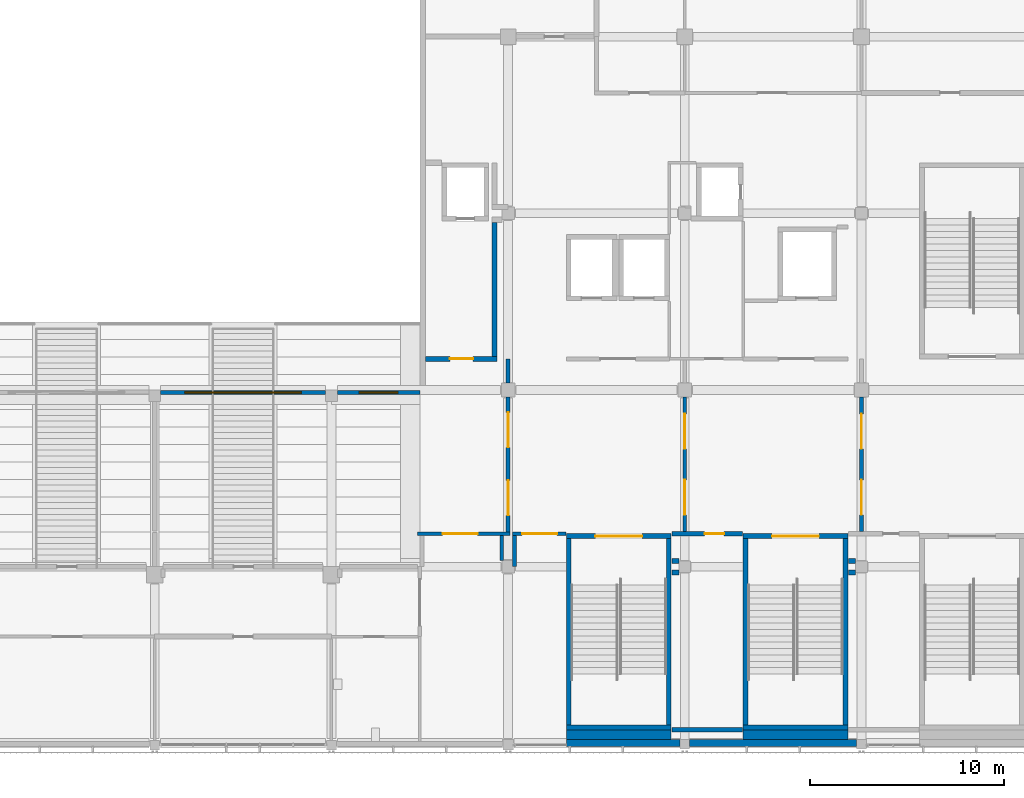
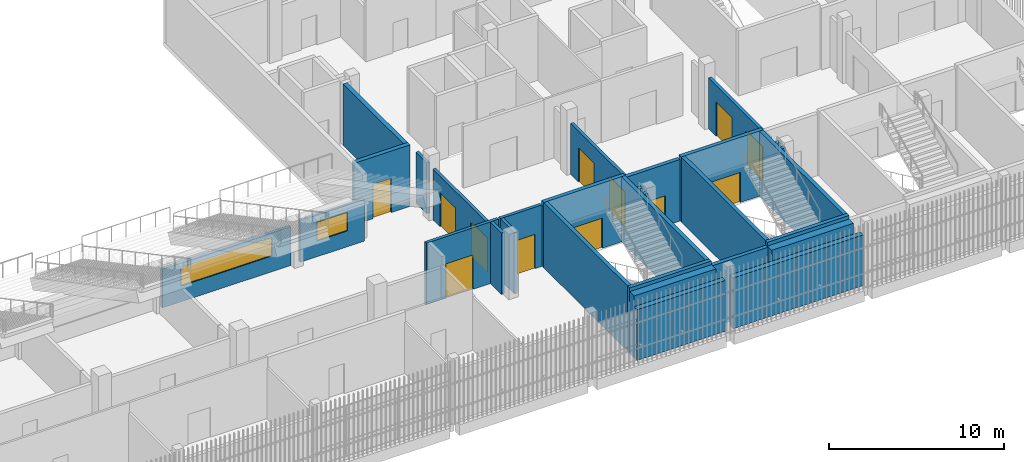
# One storey, part 79 of 139: 30 walls, 12 doors, 2 windows, 14 openings.
"""IFC4 building model written with IfcOpenShell, lengths in metres."""

import ifcopenshell
import ifcopenshell.guid

model = None  # the IFC model being written
_history = None  # IfcOwnerHistory: only IFC2X3 demands one
_inside = {}  # id of a spatial element -> (the spatial element, [elements in it])
_under = {}  # id of a project, library or spatial element -> (it, [spatial elements below it])
_declared = {}  # id of a project -> (the project, [libraries it declares])
_typed = {}  # id of a type object -> (the type object, [elements of that type])
_made_of = {}  # id of a material, layer set ... -> (it, [elements and type objects made of it])


def new_model(schema):
    """Start an empty IFC model of exactly this schema.

    Asked for "IFC4X3", IfcOpenShell would pick the latest addendum, in which some entities
    have other attributes; the version numbers below select the first issue.
    IFC2X3 requires an IfcOwnerHistory on every rooted entity: one is made here for all.
    """
    global model, _history
    if schema == "IFC4X3":
        model = ifcopenshell.file(schema_version=(4, 3, 0, 0))
    else:
        model = ifcopenshell.file(schema=schema)
    _inside.clear()
    _under.clear()
    _declared.clear()
    _typed.clear()
    _made_of.clear()
    _history = None
    if model.schema == "IFC2X3":
        org = make("IfcOrganization", Name="unknown")
        user = make(
            "IfcPersonAndOrganization",
            ThePerson=make("IfcPerson", FamilyName="unknown"),
            TheOrganization=org,
        )
        app = make(
            "IfcApplication",
            ApplicationDeveloper=org,
            Version="unknown",
            ApplicationFullName="unknown",
            ApplicationIdentifier="unknown",
        )
        _history = make(
            "IfcOwnerHistory",
            OwningUser=user,
            OwningApplication=app,
            ChangeAction="ADDED",
            CreationDate=0,
        )
    return model


def make(cls, **values):
    """One entity of the class cls with the attributes given. An attribute that is None is left unset."""
    return model.create_entity(
        cls, **{name: value for name, value in values.items() if value is not None}
    )


def rooted(cls, **values):
    """An entity with a GlobalId (a new one), such as an element, a storey or a relation."""
    return make(cls, GlobalId=ifcopenshell.guid.new(), OwnerHistory=_history, **values)


def si_unit(unit_type, name, prefix=None):
    """IfcSIUnit, for example si_unit("LENGTHUNIT", "METRE", prefix="MILLI")."""
    return make("IfcSIUnit", UnitType=unit_type, Prefix=prefix, Name=name)


def assignment(units):
    """IfcUnitAssignment: the units of a project."""
    return None if units is None else make("IfcUnitAssignment", Units=units)


def point(xyz):
    """IfcCartesianPoint."""
    return None if xyz is None else make("IfcCartesianPoint", Coordinates=xyz)


def direction(xyz):
    """IfcDirection."""
    return None if xyz is None else make("IfcDirection", DirectionRatios=xyz)


def frame(location, z_axis=None, x_axis=None):
    """IfcAxis2Placement3D, a coordinate frame: its origin and axes. An axis left out is left unset."""
    return make(
        "IfcAxis2Placement3D",
        Location=point(location),
        Axis=direction(z_axis),
        RefDirection=direction(x_axis),
    )


def frame_2d(location, x_axis=None):
    """IfcAxis2Placement2D, a coordinate frame in the plane: its origin and x axis."""
    return make(
        "IfcAxis2Placement2D", Location=point(location), RefDirection=direction(x_axis)
    )


def origin():
    """The frame at (0, 0, 0) with its axes left unset."""
    return frame((0.0, 0.0, 0.0))


def place(relative_to, where):
    """IfcLocalPlacement: puts the frame where relative to a parent placement (None: the world)."""
    return make(
        "IfcLocalPlacement", PlacementRelTo=relative_to, RelativePlacement=where
    )


def context(
    kind, dimensions, precision=None, world=None, true_north=None, identifier=None
):
    """IfcGeometricRepresentationContext, for example the 3D "Model" context."""
    return make(
        "IfcGeometricRepresentationContext",
        ContextIdentifier=identifier,
        ContextType=kind,
        CoordinateSpaceDimension=dimensions,
        Precision=precision,
        WorldCoordinateSystem=world,
        TrueNorth=true_north,
    )


def subcontext(parent, identifier, kind, view, scale=None):
    """IfcGeometricRepresentationSubContext, for example "Body" below "Model"."""
    return make(
        "IfcGeometricRepresentationSubContext",
        ContextIdentifier=identifier,
        ContextType=kind,
        ParentContext=parent,
        TargetScale=scale,
        TargetView=view,
    )


def project(units=None, contexts=None):
    """IfcProject with its units and contexts."""
    return rooted(
        "IfcProject",
        Name="project",
        RepresentationContexts=contexts,
        UnitsInContext=assignment(units),
    )


def spatial(cls, under=None, at=None, **own):
    """A site, building, storey or space (cls), placed at a placement, below another one or the project."""
    s = rooted(cls, ObjectPlacement=at, **own)
    if under is not None:
        _under.setdefault(under.id(), (under, []))[1].append(s)
    return s


def profile(cls, at=None, kind="AREA", **sizes):
    """A parametric profile (cls). Its sizes go by their IFC names, for example OverallWidth=200.0."""
    return make(cls, ProfileType=kind, Position=at, **sizes)


def rectangle(**sizes):
    """IfcRectangleProfileDef."""
    return profile("IfcRectangleProfileDef", **sizes)


def extrude(swept, where, along, depth):
    """IfcExtrudedAreaSolid: the profile swept, set in the frame where, extruded along a direction by depth."""
    return make(
        "IfcExtrudedAreaSolid",
        SweptArea=swept,
        Position=where,
        ExtrudedDirection=direction(along),
        Depth=depth,
    )


def shape(context_of_items, identifier, shape_type, items):
    """IfcShapeRepresentation: the items that make up one representation, for example the "Body"."""
    return make(
        "IfcShapeRepresentation",
        ContextOfItems=context_of_items,
        RepresentationIdentifier=identifier,
        RepresentationType=shape_type,
        Items=items,
    )


def material(Name=None, Category=None):
    """IfcMaterial."""
    return make("IfcMaterial", Name=Name, Category=Category)


def layer(
    of_material, thickness, ventilated=None, Name=None, Category=None, Priority=None
):
    """IfcMaterialLayer: one layer of a wall or slab, of a material (None: an air gap)."""
    return make(
        "IfcMaterialLayer",
        Material=of_material,
        LayerThickness=thickness,
        IsVentilated=ventilated,
        Name=Name,
        Category=Category,
        Priority=Priority,
    )


def layer_set(layers, Name=None):
    """IfcMaterialLayerSet."""
    return make("IfcMaterialLayerSet", MaterialLayers=layers, LayerSetName=Name)


def made_of(thing, what):
    """Note that an element or type object is made of a material, layer set ...; save() writes the relation."""
    if what is not None:
        _made_of.setdefault(what.id(), (what, []))[1].append(thing)
    return thing


def type_object(cls, material=None, **own):
    """A type object (cls), such as IfcWallType, which elements share."""
    return made_of(rooted(cls, **own), material)


def element(
    cls,
    number,
    at=None,
    inside=None,
    cuts=None,
    type_object=None,
    material=None,
    context=None,
    identifier="Body",
    shape_type=None,
    held_by="IfcProductDefinitionShape",
    body=None,
    shapes=None,
    **own,
):
    """One element of the class cls, such as IfcWall. Its Tag is "e" and its number.

    at: its placement. inside: the storey or other place that contains it. cuts: it is an
    opening in that element (IfcRelVoidsElement). A single representation is given by context,
    identifier, shape_type and body (its items); several are given by shapes. held_by: the class
    of the entity that holds the representations. save() writes the other relations.
    """
    e = rooted(cls, Tag="e%d" % number, ObjectPlacement=at, **own)
    if body is not None:
        shapes = [shape(context, identifier, shape_type, body)]
    if shapes is not None:
        e.Representation = make(held_by, Representations=shapes)
    if inside is not None:
        _inside.setdefault(inside.id(), (inside, []))[1].append(e)
    if cuts is not None:
        rooted(
            "IfcRelVoidsElement", RelatingBuildingElement=cuts, RelatedOpeningElement=e
        )
    if type_object is not None:
        _typed.setdefault(type_object.id(), (type_object, []))[1].append(e)
    return made_of(e, material)


def fill(opening, filler):
    """IfcRelFillsElement: the door or window that sits in an opening."""
    return rooted(
        "IfcRelFillsElement",
        RelatingOpeningElement=opening,
        RelatedBuildingElement=filler,
    )


def aggregate(whole, parts):
    """IfcRelAggregates: a whole, such as a stair, and the parts it consists of."""
    return rooted("IfcRelAggregates", RelatingObject=whole, RelatedObjects=parts)


def save(model, path):
    """Write the relations noted so far, then the file.

    IfcRelAggregates (storeys below a building ...), IfcRelContainedInSpatialStructure (elements
    in a storey), IfcRelDefinesByType, IfcRelAssociatesMaterial and IfcRelDeclares: one each for
    every whole, place, type object, material and project.
    """
    for whole, parts in _under.values():
        aggregate(whole, parts)
    for where, things in _inside.values():
        rooted(
            "IfcRelContainedInSpatialStructure",
            RelatedElements=things,
            RelatingStructure=where,
        )
    for kind, things in _typed.values():
        rooted("IfcRelDefinesByType", RelatedObjects=things, RelatingType=kind)
    for what, things in _made_of.values():
        rooted("IfcRelAssociatesMaterial", RelatedObjects=things, RelatingMaterial=what)
    for by, libraries in _declared.values():
        rooted("IfcRelDeclares", RelatingContext=by, RelatedDefinitions=libraries)
    model.write(path)


model = new_model("IFC4")

# Units and contexts
model_context = context("Model", 3, precision=1e-05, world=origin(), true_north=direction((0.0, 1.0)))
body_context = subcontext(model_context, "Body", "Model", "MODEL_VIEW")
ifc_project = project(units=[si_unit("LENGTHUNIT", "METRE"), si_unit("AREAUNIT", "SQUARE_METRE"), si_unit("VOLUMEUNIT", "CUBIC_METRE"), si_unit("PLANEANGLEUNIT", "RADIAN"), si_unit("MASSUNIT", "GRAM", prefix="KILO")], contexts=[model_context])

# Site, building, storey
site_placement = place(None, origin())
site = spatial("IfcSite", under=ifc_project, at=site_placement, CompositionType="ELEMENT")
building_placement = place(site_placement, origin())
building = spatial("IfcBuilding", under=site, at=building_placement, Name="Shirokan Park Arena", CompositionType="ELEMENT")
storey_placement = place(building_placement, frame((0.0, 0.0, 15.469970703125)))
storey = spatial("IfcBuildingStorey", under=building, at=storey_placement, Name="L03", CompositionType="ELEMENT", Elevation=15.469970703125)

# Wall, opening, window
ifc_material_1 = material(Name="Cedar timber lining", Category="wood")
ifc_layer_1 = layer(ifc_material_1, 0.02001953125, Name="Cedar timber lining")
ifc_material_2 = material(Name="Plywood", Category="wood")
ifc_layer_2 = layer(ifc_material_2, 0.01806640625, Name="Plywood")
ifc_material_3 = material(Name="Mineral wool insulation")
ifc_layer_3 = layer(ifc_material_3, 0.14208984375, Name="Mineral wool insulation")
ifc_material_4 = material(Name="Gypsum board")
ifc_layer_4 = layer(ifc_material_4, 0.02001953125, Name="Gypsum board")
ifc_layer_set_1 = layer_set([ifc_layer_1, ifc_layer_2, ifc_layer_3, ifc_layer_4], Name="Cedar timber lining + Plywood + Mineral wool insulation + Gypsum board")
wall_type_1 = type_object("IfcWallType", Name="Bowl front wall 200", PredefinedType="PARTITIONING", material=ifc_layer_set_1)
wall_1_placement = place(storey_placement, frame((91.300048828125, 18.070068359375, 0.0), z_axis=(0.0, 0.0, 1.0), x_axis=(1.0, 0.0, 0.0)))
wall_1 = element("IfcWall", 1, at=wall_1_placement, inside=storey, type_object=wall_type_1, Name="Bowl front wall 200 L03", PredefinedType="PARTITIONING", context=body_context, shape_type="SweptSolid", body=[
    extrude(rectangle(XDim=8.5, YDim=0.199951171875, at=frame_2d((4.25, 0.0))), origin(), (0.0, 0.0, 1.0), 2.7099609375),
])
opening_1_placement = place(wall_1_placement, frame((1.25, 0.0, 1.10009765625)))
opening_1 = element("IfcOpeningElement", 2, at=opening_1_placement, cuts=wall_1, Name="Opening W8", PredefinedType="OPENING", context=body_context, shape_type="SweptSolid", body=[
    extrude(rectangle(XDim=6.0, YDim=1.300048828125, at=frame_2d((3.0, 0.64990234375))), frame((0.0, 0.10986328125, 0.0), z_axis=(0.0, -1.0, 0.0), x_axis=(1.0, 0.0, 0.0)), (0.0, 0.0, 1.0), 0.219970703125),
])
ifc_material_5 = material(Name="Aluminium frame with laminated glass", Category="aluminium")
window_type_1 = type_object("IfcWindowType", Name="Suite viewing window 6000 x 1300", PartitioningType="SINGLE_PANEL", PredefinedType="WINDOW", material=ifc_material_5)
window_1_placement = place(opening_1_placement, origin())
window_1 = element("IfcWindow", 3, at=window_1_placement, inside=storey, type_object=window_type_1, Name="Suite viewing window 6000 x 1300 L03", OverallHeight=1.300048828125, OverallWidth=6.0, PartitioningType="SINGLE_PANEL", PredefinedType="WINDOW", context=body_context, shape_type="SweptSolid", body=[
    extrude(rectangle(XDim=6.0, YDim=1.300048828125, at=frame_2d((3.0, 0.64990234375))), frame((0.0, 0.030029296875, 0.0), z_axis=(0.0, -1.0, 0.0), x_axis=(1.0, 0.0, 0.0)), (0.0, 0.0, 1.0), 0.06005859375),
])
fill(opening_1, window_1)

wall_2_placement = place(storey_placement, frame((100.39990234375, 18.070068359375, 0.0), z_axis=(0.0, 0.0, 1.0), x_axis=(1.0, 0.0, 0.0)))
wall_2 = element("IfcWall", 4, at=wall_2_placement, inside=storey, type_object=wall_type_1, Name="Bowl front wall 200 L03", PredefinedType="PARTITIONING", context=body_context, shape_type="SweptSolid", body=[
    extrude(rectangle(XDim=4.25, YDim=0.199951171875, at=frame_2d((2.125, 0.0))), origin(), (0.0, 0.0, 1.0), 2.909912109375),
])
opening_2_placement = place(wall_2_placement, frame((1.125, 0.0, 1.10009765625)))
opening_2 = element("IfcOpeningElement", 5, at=opening_2_placement, cuts=wall_2, Name="Opening W7", PredefinedType="OPENING", context=body_context, shape_type="SweptSolid", body=[
    extrude(rectangle(XDim=2.0, YDim=1.300048828125, at=frame_2d((1.0, 0.64990234375))), frame((0.0, 0.10986328125, 0.0), z_axis=(0.0, -1.0, 0.0), x_axis=(1.0, 0.0, 0.0)), (0.0, 0.0, 1.0), 0.219970703125),
])
window_type_2 = type_object("IfcWindowType", Name="Suite viewing window 2000 x 1300", PartitioningType="SINGLE_PANEL", PredefinedType="WINDOW", material=ifc_material_5)
window_2_placement = place(opening_2_placement, origin())
window_2 = element("IfcWindow", 6, at=window_2_placement, inside=storey, type_object=window_type_2, Name="Suite viewing window 2000 x 1300 L03", OverallHeight=1.300048828125, OverallWidth=2.0, PartitioningType="SINGLE_PANEL", PredefinedType="WINDOW", context=body_context, shape_type="SweptSolid", body=[
    extrude(rectangle(XDim=2.0, YDim=1.300048828125, at=frame_2d((1.0, 0.64990234375))), frame((0.0, 0.030029296875, 0.0), z_axis=(0.0, -1.0, 0.0), x_axis=(1.0, 0.0, 0.0)), (0.0, 0.0, 1.0), 0.06005859375),
])
fill(opening_2, window_2)

# Walls
ifc_material_6 = material(Name="Plaster")
ifc_layer_5 = layer(ifc_material_6, 0.014892578125, Name="Plaster")
ifc_material_7 = material(Name="Concrete blockwork", Category="masonry")
ifc_layer_6 = layer(ifc_material_7, 0.219970703125, Name="Concrete blockwork 220")
ifc_layer_7 = layer(ifc_material_6, 0.014892578125, Name="Plaster")
ifc_layer_set_2 = layer_set([ifc_layer_5, ifc_layer_6, ifc_layer_7], Name="Plaster + Concrete blockwork 220")
wall_type_2 = type_object("IfcWallType", Name="Compartment wall 250", PredefinedType="SOLIDWALL", material=ifc_layer_set_2)
for number, where, z_axis, x_axis, name in (
    (7, (117.6298828125, 8.800048828125, 0.0), (0.0, 0.0, 1.0), (1.0, 0.0, 0.0), "Compartment wall 250 L03"),
    (8, (118.0, 9.39990234375, 0.0), (0.0, 0.0, 1.0), (-1.0, 0.0, 0.0), "Compartment wall 250 L03"),
):
    element("IfcWall", number, at=place(storey_placement, frame(where, z_axis=z_axis, x_axis=x_axis)), inside=storey, type_object=wall_type_2, Name=name, PredefinedType="SOLIDWALL", context=body_context, shape_type="SweptSolid", body=[
        extrude(rectangle(XDim=0.3701171875, YDim=0.25, at=frame_2d((0.18505859375, 0.0))), origin(), (0.0, 0.0, 1.0), 4.300048828125),
    ])

# Wall, opening, door
wall_3_placement = place(storey_placement, frame((117.6298828125, 10.800048828125, 0.0), z_axis=(0.0, 0.0, 1.0), x_axis=(1.0, 0.0, 0.0)))
wall_3 = element("IfcWall", 9, at=wall_3_placement, inside=storey, type_object=wall_type_2, Name="Compartment wall 250 L03", PredefinedType="SOLIDWALL", context=body_context, shape_type="SweptSolid", body=[
    extrude(rectangle(XDim=3.64013671875, YDim=0.25, at=frame_2d((1.820068359375, 0.0))), origin(), (0.0, 0.0, 1.0), 4.300048828125),
])
opening_3_placement = place(wall_3_placement, frame((1.68994140625, 0.0, 0.0)))
opening_3 = element("IfcOpeningElement", 10, at=opening_3_placement, cuts=wall_3, Name="Opening D-3018", PredefinedType="OPENING", context=body_context, shape_type="SweptSolid", body=[
    extrude(rectangle(XDim=1.0, YDim=2.10009765625, at=frame_2d((0.5, 1.050048828125))), frame((0.0, 0.135009765625, 0.0), z_axis=(0.0, -1.0, 0.0), x_axis=(1.0, 0.0, 0.0)), (0.0, 0.0, 1.0), 0.27001953125),
])
ifc_material_8 = material(Name="Timber door set, fire resisting", Category="wood")
door_type_1 = type_object("IfcDoorType", Name="Door 1000 x 2100", OperationType="SINGLE_SWING_LEFT", PredefinedType="DOOR", material=ifc_material_8)
door_1_placement = place(opening_3_placement, origin())
door_1 = element("IfcDoor", 11, at=door_1_placement, inside=storey, type_object=door_type_1, Name="Door to Suite Store 3.22 D-3018", OperationType="SINGLE_SWING_RIGHT", OverallHeight=2.10009765625, OverallWidth=1.0, PredefinedType="DOOR", context=body_context, shape_type="SweptSolid", body=[
    extrude(rectangle(XDim=1.0, YDim=2.10009765625, at=frame_2d((0.5, 1.050048828125))), frame((0.0, 0.02490234375, 0.0), z_axis=(0.0, -1.0, 0.0), x_axis=(1.0, 0.0, 0.0)), (0.0, 0.0, 1.0), 0.050048828125),
])
fill(opening_3, door_1)

# Walls
wall_4_placement = place(storey_placement, frame((121.27001953125, 0.699951171875, 0.0), z_axis=(0.0, 0.0, 1.0), x_axis=(-1.0, 0.0, 0.0)))
element("IfcWall", 12, at=wall_4_placement, inside=storey, type_object=wall_type_2, Name="Compartment wall 250 L03", PredefinedType="SOLIDWALL", context=body_context, shape_type="SweptSolid", body=[
    extrude(rectangle(XDim=3.64013671875, YDim=0.25, at=frame_2d((1.820068359375, 0.0))), origin(), (0.0, 0.0, 1.0), 4.300048828125),
])
for number, where, z_axis, x_axis, name in (
    (13, (126.72998046875, 8.800048828125, 0.0), (0.0, 0.0, 1.0), (1.0, 0.0, 0.0), "Compartment wall 250 L03"),
    (14, (127.10009765625, 9.39990234375, 0.0), (0.0, 0.0, 1.0), (-1.0, 0.0, 0.0), "Compartment wall 250 L03"),
):
    element("IfcWall", number, at=place(storey_placement, frame(where, z_axis=z_axis, x_axis=x_axis)), inside=storey, type_object=wall_type_2, Name=name, PredefinedType="SOLIDWALL", context=body_context, shape_type="SweptSolid", body=[
        extrude(rectangle(XDim=0.3701171875, YDim=0.25, at=frame_2d((0.18505859375, 0.0))), origin(), (0.0, 0.0, 1.0), 4.300048828125),
    ])
ifc_layer_8 = layer(ifc_material_4, 0.02490234375, Name="Gypsum board, two layers")
ifc_layer_9 = layer(ifc_material_3, 0.14990234375, Name="Mineral wool insulation")
ifc_layer_10 = layer(ifc_material_4, 0.02490234375, Name="Gypsum board, two layers")
ifc_layer_set_3 = layer_set([ifc_layer_8, ifc_layer_9, ifc_layer_10], Name="Gypsum board, two layers + Mineral wool insulation")
wall_type_3 = type_object("IfcWallType", Name="Corridor wall 200", PredefinedType="PARTITIONING", material=ifc_layer_set_3)
wall_5_placement = place(storey_placement, frame((108.875, 9.425048828125, 0.0), z_axis=(0.0, 0.0, 1.0), x_axis=(0.0, 1.0, 0.0)))
element("IfcWall", 15, at=wall_5_placement, inside=storey, type_object=wall_type_3, Name="Corridor wall 200 L03", PredefinedType="PARTITIONING", context=body_context, shape_type="SweptSolid", body=[
    extrude(rectangle(XDim=1.27490234375, YDim=0.199951171875, at=frame_2d((0.637451171875, 0.0))), origin(), (0.0, 0.0, 1.0), 4.300048828125),
])

# Wall, opening, door
wall_6_placement = place(storey_placement, frame((104.53759765625, 10.800048828125, 0.0), z_axis=(0.0, 0.0, 1.0), x_axis=(1.0, 0.0, 0.0)))
wall_6 = element("IfcWall", 16, at=wall_6_placement, inside=storey, type_object=wall_type_3, Name="Corridor wall 200 L03", PredefinedType="PARTITIONING", context=body_context, shape_type="SweptSolid", body=[
    extrude(rectangle(XDim=4.762451171875, YDim=0.199951171875, at=frame_2d((2.38134765625, 0.0))), origin(), (0.0, 0.0, 1.0), 4.300048828125),
])
opening_4_placement = place(wall_6_placement, frame((1.28759765625, 0.0, 0.0)))
opening_4 = element("IfcOpeningElement", 17, at=opening_4_placement, cuts=wall_6, Name="Opening D-3109", PredefinedType="OPENING", context=body_context, shape_type="SweptSolid", body=[
    extrude(rectangle(XDim=1.800048828125, YDim=2.39990234375, at=frame_2d((0.89990234375, 1.199951171875))), frame((0.0, 0.10986328125, 0.0), z_axis=(0.0, -1.0, 0.0), x_axis=(1.0, 0.0, 0.0)), (0.0, 0.0, 1.0), 0.219970703125),
])
ifc_material_9 = material(Name="Glazed steel door set, fire resisting", Category="steel")
door_type_2 = type_object("IfcDoorType", Name="Lift lobby door 1800 x 2400", OperationType="DOUBLE_DOOR_SINGLE_SWING", PredefinedType="DOOR", material=ifc_material_9)
door_2_placement = place(opening_4_placement, origin())
door_2 = element("IfcDoor", 18, at=door_2_placement, inside=storey, type_object=door_type_2, Name="Door between Hospitality Foyer 2.3.5 and Ring Link 2.3 D-3109", OperationType="DOUBLE_DOOR_SINGLE_SWING", OverallHeight=2.39990234375, OverallWidth=1.800048828125, PredefinedType="DOOR", context=body_context, shape_type="SweptSolid", body=[
    extrude(rectangle(XDim=1.800048828125, YDim=2.39990234375, at=frame_2d((0.89990234375, 1.199951171875))), frame((0.0, 0.02490234375, 0.0), z_axis=(0.0, -1.0, 0.0), x_axis=(1.0, 0.0, 0.0)), (0.0, 0.0, 1.0), 0.050048828125),
])
fill(opening_4, door_2)

# Wall, openings, doors
wall_7_placement = place(storey_placement, frame((109.199951171875, 10.89990234375, 0.0), z_axis=(0.0, 0.0, 1.0), x_axis=(0.0, 1.0, 0.0)))
wall_7 = element("IfcWall", 19, at=wall_7_placement, inside=storey, type_object=wall_type_3, Name="Corridor wall 200 L03", PredefinedType="PARTITIONING", context=body_context, shape_type="SweptSolid", body=[
    extrude(rectangle(XDim=6.9501953125, YDim=0.199951171875, at=frame_2d((3.47509765625, 0.0))), origin(), (0.0, 0.0, 1.0), 3.550048828125),
])
opening_5_placement = place(wall_7_placement, frame((0.85009765625, 0.0, 0.0)))
opening_5 = element("IfcOpeningElement", 20, at=opening_5_placement, cuts=wall_7, Name="Opening D-3105", PredefinedType="OPENING", context=body_context, shape_type="SweptSolid", body=[
    extrude(rectangle(XDim=1.800048828125, YDim=2.39990234375, at=frame_2d((0.89990234375, 1.199951171875))), frame((0.0, 0.10986328125, 0.0), z_axis=(0.0, -1.0, 0.0), x_axis=(1.0, 0.0, 0.0)), (0.0, 0.0, 1.0), 0.219970703125),
])
opening_6_placement = place(wall_7_placement, frame((4.35009765625, 0.0, 0.0)))
opening_6 = element("IfcOpeningElement", 21, at=opening_6_placement, cuts=wall_7, Name="Opening D-3106", PredefinedType="OPENING", context=body_context, shape_type="SweptSolid", body=[
    extrude(rectangle(XDim=1.800048828125, YDim=2.39990234375, at=frame_2d((0.89990234375, 1.199951171875))), frame((0.0, 0.10986328125, 0.0), z_axis=(0.0, -1.0, 0.0), x_axis=(1.0, 0.0, 0.0)), (0.0, 0.0, 1.0), 0.219970703125),
])
door_3_placement = place(opening_5_placement, origin())
door_3 = element("IfcDoor", 22, at=door_3_placement, inside=storey, type_object=door_type_2, Name="Door between Stair Lobby 2.3.4 and Hospitality Foyer 2.3.5 D-3105", OperationType="DOUBLE_DOOR_SINGLE_SWING", OverallHeight=2.39990234375, OverallWidth=1.800048828125, PredefinedType="DOOR", context=body_context, shape_type="SweptSolid", body=[
    extrude(rectangle(XDim=1.800048828125, YDim=2.39990234375, at=frame_2d((0.89990234375, 1.199951171875))), frame((0.0, 0.02490234375, 0.0), z_axis=(0.0, -1.0, 0.0), x_axis=(1.0, 0.0, 0.0)), (0.0, 0.0, 1.0), 0.050048828125),
])
fill(opening_5, door_3)
door_4_placement = place(opening_6_placement, origin())
door_4 = element("IfcDoor", 23, at=door_4_placement, inside=storey, type_object=door_type_2, Name="Door between Stair Lobby 2.3.4 and Hospitality Foyer 2.3.5 D-3106", OperationType="DOUBLE_DOOR_SINGLE_SWING", OverallHeight=2.39990234375, OverallWidth=1.800048828125, PredefinedType="DOOR", context=body_context, shape_type="SweptSolid", body=[
    extrude(rectangle(XDim=1.800048828125, YDim=2.39990234375, at=frame_2d((0.89990234375, 1.199951171875))), frame((0.0, 0.02490234375, 0.0), z_axis=(0.0, -1.0, 0.0), x_axis=(1.0, 0.0, 0.0)), (0.0, 0.0, 1.0), 0.050048828125),
])
fill(opening_6, door_4)

# Walls
wall_8_placement = place(storey_placement, frame((109.199951171875, 18.550048828125, 0.0), z_axis=(0.0, 0.0, 1.0), x_axis=(0.0, 1.0, 0.0)))
element("IfcWall", 24, at=wall_8_placement, inside=storey, type_object=wall_type_3, Name="Corridor wall 200 L03", PredefinedType="PARTITIONING", context=body_context, shape_type="SweptSolid", body=[
    extrude(rectangle(XDim=1.25, YDim=0.199951171875, at=frame_2d((0.625, 0.0))), origin(), (0.0, 0.0, 1.0), 3.550048828125),
])
wall_9_placement = place(storey_placement, frame((109.52490234375, 9.10009765625, 0.0), z_axis=(0.0, 0.0, 1.0), x_axis=(0.0, 1.0, 0.0)))
element("IfcWall", 25, at=wall_9_placement, inside=storey, type_object=wall_type_3, Name="Corridor wall 200 L03", PredefinedType="PARTITIONING", context=body_context, shape_type="SweptSolid", body=[
    extrude(rectangle(XDim=1.599853515625, YDim=0.199951171875, at=frame_2d((0.7998046875, 0.0))), origin(), (0.0, 0.0, 1.0), 4.300048828125),
])

# Wall, opening, door
wall_10_placement = place(storey_placement, frame((112.169921875, 10.800048828125, 0.0), z_axis=(0.0, 0.0, 1.0), x_axis=(-1.0, 0.0, 0.0)))
wall_10 = element("IfcWall", 26, at=wall_10_placement, inside=storey, type_object=wall_type_3, Name="Corridor wall 200 L03", PredefinedType="PARTITIONING", context=body_context, shape_type="SweptSolid", body=[
    extrude(rectangle(XDim=2.744873046875, YDim=0.199951171875, at=frame_2d((1.37255859375, 0.0))), origin(), (0.0, 0.0, 1.0), 4.300048828125),
])
opening_7_placement = place(wall_10_placement, frame((0.449951171875, 0.0, 0.0)))
opening_7 = element("IfcOpeningElement", 27, at=opening_7_placement, cuts=wall_10, Name="Opening D-3108", PredefinedType="OPENING", context=body_context, shape_type="SweptSolid", body=[
    extrude(rectangle(XDim=1.800048828125, YDim=2.39990234375, at=frame_2d((0.89990234375, 1.199951171875))), frame((0.0, 0.10986328125, 0.0), z_axis=(0.0, -1.0, 0.0), x_axis=(1.0, 0.0, 0.0)), (0.0, 0.0, 1.0), 0.219970703125),
])
door_5_placement = place(opening_7_placement, origin())
door_5 = element("IfcDoor", 28, at=door_5_placement, inside=storey, type_object=door_type_2, Name="Door between Stair Lobby 2.3.4 and Ring Link 2.3 D-3108", OperationType="DOUBLE_DOOR_SINGLE_SWING", OverallHeight=2.39990234375, OverallWidth=1.800048828125, PredefinedType="DOOR", context=body_context, shape_type="SweptSolid", body=[
    extrude(rectangle(XDim=1.800048828125, YDim=2.39990234375, at=frame_2d((0.89990234375, 1.199951171875))), frame((0.0, 0.02490234375, 0.0), z_axis=(0.0, -1.0, 0.0), x_axis=(1.0, 0.0, 0.0)), (0.0, 0.0, 1.0), 0.050048828125),
])
fill(opening_7, door_5)

# Wall, openings, doors
wall_11_placement = place(storey_placement, frame((118.300048828125, 10.925048828125, 0.0), z_axis=(0.0, 0.0, 1.0), x_axis=(0.0, 1.0, 0.0)))
wall_11 = element("IfcWall", 29, at=wall_11_placement, inside=storey, type_object=wall_type_3, Name="Corridor wall 200 L03", PredefinedType="PARTITIONING", context=body_context, shape_type="SweptSolid", body=[
    extrude(rectangle(XDim=6.925048828125, YDim=0.199951171875, at=frame_2d((3.46240234375, 0.0))), origin(), (0.0, 0.0, 1.0), 3.550048828125),
])
opening_8_placement = place(wall_11_placement, frame((0.85009765625, 0.0, 0.0)))
opening_8 = element("IfcOpeningElement", 30, at=opening_8_placement, cuts=wall_11, Name="Opening D-3102", PredefinedType="OPENING", context=body_context, shape_type="SweptSolid", body=[
    extrude(rectangle(XDim=1.800048828125, YDim=2.39990234375, at=frame_2d((0.89990234375, 1.199951171875))), frame((0.0, 0.10986328125, 0.0), z_axis=(0.0, -1.0, 0.0), x_axis=(1.0, 0.0, 0.0)), (0.0, 0.0, 1.0), 0.219970703125),
])
opening_9_placement = place(wall_11_placement, frame((4.25, 0.0, 0.0)))
opening_9 = element("IfcOpeningElement", 31, at=opening_9_placement, cuts=wall_11, Name="Opening D-3103", PredefinedType="OPENING", context=body_context, shape_type="SweptSolid", body=[
    extrude(rectangle(XDim=1.800048828125, YDim=2.39990234375, at=frame_2d((0.89990234375, 1.199951171875))), frame((0.0, 0.10986328125, 0.0), z_axis=(0.0, -1.0, 0.0), x_axis=(1.0, 0.0, 0.0)), (0.0, 0.0, 1.0), 0.219970703125),
])
door_6_placement = place(opening_8_placement, origin())
door_6 = element("IfcDoor", 32, at=door_6_placement, inside=storey, type_object=door_type_2, Name="Door between Media Lobby 2.3.3 and Stair Lobby 2.3.4 D-3102", OperationType="DOUBLE_DOOR_SINGLE_SWING", OverallHeight=2.39990234375, OverallWidth=1.800048828125, PredefinedType="DOOR", context=body_context, shape_type="SweptSolid", body=[
    extrude(rectangle(XDim=1.800048828125, YDim=2.39990234375, at=frame_2d((0.89990234375, 1.199951171875))), frame((0.0, 0.02490234375, 0.0), z_axis=(0.0, -1.0, 0.0), x_axis=(1.0, 0.0, 0.0)), (0.0, 0.0, 1.0), 0.050048828125),
])
fill(opening_8, door_6)
door_7_placement = place(opening_9_placement, origin())
door_7 = element("IfcDoor", 33, at=door_7_placement, inside=storey, type_object=door_type_2, Name="Door between Media Lobby 2.3.3 and Stair Lobby 2.3.4 D-3103", OperationType="DOUBLE_DOOR_SINGLE_SWING", OverallHeight=2.39990234375, OverallWidth=1.800048828125, PredefinedType="DOOR", context=body_context, shape_type="SweptSolid", body=[
    extrude(rectangle(XDim=1.800048828125, YDim=2.39990234375, at=frame_2d((0.89990234375, 1.199951171875))), frame((0.0, 0.02490234375, 0.0), z_axis=(0.0, -1.0, 0.0), x_axis=(1.0, 0.0, 0.0)), (0.0, 0.0, 1.0), 0.050048828125),
])
fill(opening_9, door_7)

wall_12_placement = place(storey_placement, frame((127.39990234375, 10.925048828125, 0.0), z_axis=(0.0, 0.0, 1.0), x_axis=(0.0, 1.0, 0.0)))
wall_12 = element("IfcWall", 34, at=wall_12_placement, inside=storey, type_object=wall_type_3, Name="Corridor wall 200 L03", PredefinedType="PARTITIONING", context=body_context, shape_type="SweptSolid", body=[
    extrude(rectangle(XDim=6.925048828125, YDim=0.199951171875, at=frame_2d((3.46240234375, 0.0))), origin(), (0.0, 0.0, 1.0), 3.550048828125),
])
opening_10_placement = place(wall_12_placement, frame((0.85009765625, 0.0, 0.0)))
opening_10 = element("IfcOpeningElement", 35, at=opening_10_placement, cuts=wall_12, Name="Opening D-3100", PredefinedType="OPENING", context=body_context, shape_type="SweptSolid", body=[
    extrude(rectangle(XDim=1.800048828125, YDim=2.39990234375, at=frame_2d((0.89990234375, 1.199951171875))), frame((0.0, 0.10986328125, 0.0), z_axis=(0.0, -1.0, 0.0), x_axis=(1.0, 0.0, 0.0)), (0.0, 0.0, 1.0), 0.219970703125),
])
opening_11_placement = place(wall_12_placement, frame((4.25, 0.0, 0.0)))
opening_11 = element("IfcOpeningElement", 36, at=opening_11_placement, cuts=wall_12, Name="Opening D-3101", PredefinedType="OPENING", context=body_context, shape_type="SweptSolid", body=[
    extrude(rectangle(XDim=1.800048828125, YDim=2.39990234375, at=frame_2d((0.89990234375, 1.199951171875))), frame((0.0, 0.10986328125, 0.0), z_axis=(0.0, -1.0, 0.0), x_axis=(1.0, 0.0, 0.0)), (0.0, 0.0, 1.0), 0.219970703125),
])
door_8_placement = place(opening_10_placement, origin())
door_8 = element("IfcDoor", 37, at=door_8_placement, inside=storey, type_object=door_type_2, Name="Door between Suite Lobby 2.3.2 and Media Lobby 2.3.3 D-3100", OperationType="DOUBLE_DOOR_SINGLE_SWING", OverallHeight=2.39990234375, OverallWidth=1.800048828125, PredefinedType="DOOR", context=body_context, shape_type="SweptSolid", body=[
    extrude(rectangle(XDim=1.800048828125, YDim=2.39990234375, at=frame_2d((0.89990234375, 1.199951171875))), frame((0.0, 0.02490234375, 0.0), z_axis=(0.0, -1.0, 0.0), x_axis=(1.0, 0.0, 0.0)), (0.0, 0.0, 1.0), 0.050048828125),
])
fill(opening_10, door_8)
door_9_placement = place(opening_11_placement, origin())
door_9 = element("IfcDoor", 38, at=door_9_placement, inside=storey, type_object=door_type_2, Name="Door between Suite Lobby 2.3.2 and Media Lobby 2.3.3 D-3101", OperationType="DOUBLE_DOOR_SINGLE_SWING", OverallHeight=2.39990234375, OverallWidth=1.800048828125, PredefinedType="DOOR", context=body_context, shape_type="SweptSolid", body=[
    extrude(rectangle(XDim=1.800048828125, YDim=2.39990234375, at=frame_2d((0.89990234375, 1.199951171875))), frame((0.0, 0.02490234375, 0.0), z_axis=(0.0, -1.0, 0.0), x_axis=(1.0, 0.0, 0.0)), (0.0, 0.0, 1.0), 0.050048828125),
])
fill(opening_11, door_9)

# Walls
ifc_material_10 = material(Name="Cedar cladding")
ifc_layer_11 = layer(ifc_material_10, 0.030029296875, Name="Cedar cladding")
ifc_layer_12 = layer(ifc_material_3, 0.10009765625, Name="Mineral wool insulation")
ifc_material_11 = material(Name="Concrete C35", Category="concrete")
ifc_layer_13 = layer(ifc_material_11, 0.199951171875, Name="Concrete C35")
ifc_material_12 = material(Name="Gypsum board lining")
ifc_layer_14 = layer(ifc_material_12, 0.02001953125, Name="Gypsum board lining")
ifc_layer_set_4 = layer_set([ifc_layer_11, ifc_layer_12, ifc_layer_13, ifc_layer_14], Name="Cedar cladding + Mineral wool insulation + Concrete C35 + Gypsum board lining")
wall_type_4 = type_object("IfcWallType", Name="Insulated tower wall 350", PredefinedType="SOLIDWALL", material=ifc_layer_set_4)
wall_13_placement = place(storey_placement, frame((112.199951171875, 0.02490234375, 0.0), z_axis=(0.0, 0.0, 1.0), x_axis=(1.0, 0.0, 0.0)))
element("IfcWall", 39, at=wall_13_placement, inside=storey, type_object=wall_type_4, Name="South facade wall bay 13 L03", PredefinedType="SOLIDWALL", context=body_context, shape_type="SweptSolid", body=[
    extrude(rectangle(XDim=5.85009765625, YDim=0.35009765625, at=frame_2d((2.925048828125, 0.0))), origin(), (0.0, 0.0, 1.0), 3.550048828125),
])
wall_14_placement = place(storey_placement, frame((118.550048828125, 0.02490234375, 0.0), z_axis=(0.0, 0.0, 1.0), x_axis=(1.0, 0.0, 0.0)))
element("IfcWall", 40, at=wall_14_placement, inside=storey, type_object=wall_type_4, Name="South facade wall bay 14 L03", PredefinedType="SOLIDWALL", context=body_context, shape_type="SweptSolid", body=[
    extrude(rectangle(XDim=8.599853515625, YDim=0.35009765625, at=frame_2d((4.2998046875, 0.0))), origin(), (0.0, 0.0, 1.0), 3.550048828125),
])

# Wall, opening, door
ifc_layer_15 = layer(ifc_material_6, 0.012451171875, Name="Plaster")
ifc_layer_16 = layer(ifc_material_7, 0.25, Name="Concrete blockwork 250")
ifc_layer_17 = layer(ifc_material_6, 0.012451171875, Name="Plaster")
ifc_layer_set_5 = layer_set([ifc_layer_15, ifc_layer_16, ifc_layer_17], Name="Plaster + Concrete blockwork 250")
wall_type_5 = type_object("IfcWallType", Name="Plant room wall 275", PredefinedType="SOLIDWALL", material=ifc_layer_set_5)
wall_15_placement = place(storey_placement, frame((104.949951171875, 19.800048828125, 0.0), z_axis=(0.0, 0.0, 1.0), x_axis=(1.0, 0.0, 0.0)))
wall_15 = element("IfcWall", 41, at=wall_15_placement, inside=storey, type_object=wall_type_5, Name="Plant room wall 275 L03", PredefinedType="SOLIDWALL", context=body_context, shape_type="SweptSolid", body=[
    extrude(rectangle(XDim=3.6875, YDim=0.27490234375, at=frame_2d((1.84375, 0.0))), origin(), (0.0, 0.0, 1.0), 4.300048828125),
])
opening_12_placement = place(wall_15_placement, frame((1.25, 0.0, 0.0)))
opening_12 = element("IfcOpeningElement", 42, at=opening_12_placement, cuts=wall_15, Name="Opening D-3015", PredefinedType="OPENING", context=body_context, shape_type="SweptSolid", body=[
    extrude(rectangle(XDim=1.199951171875, YDim=2.39990234375, at=frame_2d((0.60009765625, 1.199951171875))), frame((0.0, 0.1474609375, 0.0), z_axis=(0.0, -1.0, 0.0), x_axis=(1.0, 0.0, 0.0)), (0.0, 0.0, 1.0), 0.294921875),
])
ifc_material_13 = material(Name="Louvred steel door set, fire resisting", Category="steel")
door_type_3 = type_object("IfcDoorType", Name="Plant room door 1200 x 2400", OperationType="SINGLE_SWING_LEFT", PredefinedType="DOOR", material=ifc_material_13)
door_10_placement = place(opening_12_placement, origin())
door_10 = element("IfcDoor", 43, at=door_10_placement, inside=storey, type_object=door_type_3, Name="Door to Server Room 3.29 D-3015", OperationType="SINGLE_SWING_LEFT", OverallHeight=2.39990234375, OverallWidth=1.199951171875, PredefinedType="DOOR", context=body_context, shape_type="SweptSolid", body=[
    extrude(rectangle(XDim=1.199951171875, YDim=2.39990234375, at=frame_2d((0.60009765625, 1.199951171875))), frame((0.0, 0.02490234375, 0.0), z_axis=(0.0, -1.0, 0.0), x_axis=(1.0, 0.0, 0.0)), (0.0, 0.0, 1.0), 0.050048828125),
])
fill(opening_12, door_10)

# Walls
wall_16_placement = place(storey_placement, frame((108.5, 19.9375, 0.0), z_axis=(0.0, 0.0, 1.0), x_axis=(0.0, 1.0, 0.0)))
element("IfcWall", 44, at=wall_16_placement, inside=storey, type_object=wall_type_5, Name="Plant room wall 275 L03", PredefinedType="SOLIDWALL", context=body_context, shape_type="SweptSolid", body=[
    extrude(rectangle(XDim=6.89990234375, YDim=0.27490234375, at=frame_2d((3.449951171875, 0.0))), origin(), (0.0, 0.0, 1.0), 4.300048828125),
])
ifc_material_14 = material(Name="Concrete C40/50", Category="concrete")
ifc_layer_18 = layer(ifc_material_14, 0.25)
ifc_layer_set_6 = layer_set([ifc_layer_18], Name="Concrete C40/50 250 mm")
wall_type_6 = type_object("IfcWallType", Name="RC shear wall 250", PredefinedType="SHEAR", material=ifc_layer_set_6)
wall_17_placement = place(storey_placement, frame((126.699951171875, 0.824951171875, 0.0), z_axis=(0.0, 0.0, 1.0), x_axis=(-1.0, 0.0, 0.0)))
element("IfcWall", 45, at=wall_17_placement, inside=storey, type_object=wall_type_6, Name="Shaft wall Exit Stair 2.C S L03", PredefinedType="SHEAR", context=body_context, shape_type="SweptSolid", body=[
    extrude(rectangle(XDim=5.39990234375, YDim=0.25, at=frame_2d((2.699951171875, 0.0))), origin(), (0.0, 0.0, 1.0), 4.550048828125),
])

# Wall, opening, door
wall_18_placement = place(storey_placement, frame((126.699951171875, 10.675048828125, 0.0), z_axis=(0.0, 0.0, 1.0), x_axis=(-1.0, 0.0, 0.0)))
wall_18 = element("IfcWall", 46, at=wall_18_placement, inside=storey, type_object=wall_type_6, Name="Shaft wall Exit Stair 2.C N L03", PredefinedType="SHEAR", context=body_context, shape_type="SweptSolid", body=[
    extrude(rectangle(XDim=5.39990234375, YDim=0.25, at=frame_2d((2.699951171875, 0.0))), origin(), (0.0, 0.0, 1.0), 4.550048828125),
])
opening_13_placement = place(wall_18_placement, frame((1.5, 0.0, 0.0)))
opening_13 = element("IfcOpeningElement", 47, at=opening_13_placement, cuts=wall_18, Name="Opening D-3151", PredefinedType="OPENING", context=body_context, shape_type="SweptSolid", body=[
    extrude(rectangle(XDim=2.39990234375, YDim=2.10009765625, at=frame_2d((1.199951171875, 1.050048828125))), frame((0.0, 0.135009765625, 0.0), z_axis=(0.0, -1.0, 0.0), x_axis=(1.0, 0.0, 0.0)), (0.0, 0.0, 1.0), 0.27001953125),
])
ifc_material_15 = material(Name="Steel door set, fire resisting", Category="steel")
door_type_4 = type_object("IfcDoorType", Name="Stair door 2400 x 2100", OperationType="DOUBLE_DOOR_SINGLE_SWING", PredefinedType="DOOR", material=ifc_material_15)
door_11_placement = place(opening_13_placement, origin())
door_11 = element("IfcDoor", 48, at=door_11_placement, inside=storey, type_object=door_type_4, Name="Stair door Exit Stair 2.C D-3151", OperationType="DOUBLE_DOOR_SINGLE_SWING", OverallHeight=2.10009765625, OverallWidth=2.39990234375, PredefinedType="DOOR", context=body_context, shape_type="SweptSolid", body=[
    extrude(rectangle(XDim=2.39990234375, YDim=2.10009765625, at=frame_2d((1.199951171875, 1.050048828125))), frame((0.0, 0.02490234375, 0.0), z_axis=(0.0, -1.0, 0.0), x_axis=(1.0, 0.0, 0.0)), (0.0, 0.0, 1.0), 0.050048828125),
])
fill(opening_13, door_11)

# Walls
for number, where, z_axis, x_axis, name in (
    (49, (121.425048828125, 10.550048828125, 0.0), (0.0, 0.0, 1.0), (0.0, -1.0, 0.0), "Shaft wall Exit Stair 2.C W L03"),
    (50, (126.574951171875, 10.550048828125, 0.0), (0.0, 0.0, 1.0), (0.0, -1.0, 0.0), "Shaft wall Exit Stair 2.C E L03"),
):
    element("IfcWall", number, at=place(storey_placement, frame(where, z_axis=z_axis, x_axis=x_axis)), inside=storey, type_object=wall_type_6, Name=name, PredefinedType="SHEAR", context=body_context, shape_type="SweptSolid", body=[
        extrude(rectangle(XDim=9.60009765625, YDim=0.25, at=frame_2d((4.800048828125, 0.0))), origin(), (0.0, 0.0, 1.0), 4.550048828125),
    ])
wall_19_placement = place(storey_placement, frame((117.60009765625, 0.824951171875, 0.0), z_axis=(0.0, 0.0, 1.0), x_axis=(-1.0, 0.0, 0.0)))
element("IfcWall", 51, at=wall_19_placement, inside=storey, type_object=wall_type_6, Name="Shaft wall Exit Stair 2.D S L03", PredefinedType="SHEAR", context=body_context, shape_type="SweptSolid", body=[
    extrude(rectangle(XDim=5.400146484375, YDim=0.25, at=frame_2d((2.7001953125, 0.0))), origin(), (0.0, 0.0, 1.0), 4.550048828125),
])

# Wall, opening, door
wall_20_placement = place(storey_placement, frame((117.60009765625, 10.675048828125, 0.0), z_axis=(0.0, 0.0, 1.0), x_axis=(-1.0, 0.0, 0.0)))
wall_20 = element("IfcWall", 52, at=wall_20_placement, inside=storey, type_object=wall_type_6, Name="Shaft wall Exit Stair 2.D N L03", PredefinedType="SHEAR", context=body_context, shape_type="SweptSolid", body=[
    extrude(rectangle(XDim=5.400146484375, YDim=0.25, at=frame_2d((2.7001953125, 0.0))), origin(), (0.0, 0.0, 1.0), 4.550048828125),
])
opening_14_placement = place(wall_20_placement, frame((1.5, 0.0, 0.0)))
opening_14 = element("IfcOpeningElement", 53, at=opening_14_placement, cuts=wall_20, Name="Opening D-3152", PredefinedType="OPENING", context=body_context, shape_type="SweptSolid", body=[
    extrude(rectangle(XDim=2.39990234375, YDim=2.10009765625, at=frame_2d((1.199951171875, 1.050048828125))), frame((0.0, 0.135009765625, 0.0), z_axis=(0.0, -1.0, 0.0), x_axis=(1.0, 0.0, 0.0)), (0.0, 0.0, 1.0), 0.27001953125),
])
door_12_placement = place(opening_14_placement, origin())
door_12 = element("IfcDoor", 54, at=door_12_placement, inside=storey, type_object=door_type_4, Name="Stair door Exit Stair 2.D D-3152", OperationType="DOUBLE_DOOR_SINGLE_SWING", OverallHeight=2.10009765625, OverallWidth=2.39990234375, PredefinedType="DOOR", context=body_context, shape_type="SweptSolid", body=[
    extrude(rectangle(XDim=2.39990234375, YDim=2.10009765625, at=frame_2d((1.199951171875, 1.050048828125))), frame((0.0, 0.02490234375, 0.0), z_axis=(0.0, -1.0, 0.0), x_axis=(1.0, 0.0, 0.0)), (0.0, 0.0, 1.0), 0.050048828125),
])
fill(opening_14, door_12)

# Walls
for number, where, z_axis, x_axis, name in (
    (55, (112.324951171875, 10.550048828125, 0.0), (0.0, 0.0, 1.0), (0.0, -1.0, 0.0), "Shaft wall Exit Stair 2.D W L03"),
    (56, (117.47509765625, 10.550048828125, 0.0), (0.0, 0.0, 1.0), (0.0, -1.0, 0.0), "Shaft wall Exit Stair 2.D E L03"),
):
    element("IfcWall", number, at=place(storey_placement, frame(where, z_axis=z_axis, x_axis=x_axis)), inside=storey, type_object=wall_type_6, Name=name, PredefinedType="SHEAR", context=body_context, shape_type="SweptSolid", body=[
        extrude(rectangle(XDim=9.60009765625, YDim=0.25, at=frame_2d((4.800048828125, 0.0))), origin(), (0.0, 0.0, 1.0), 4.550048828125),
    ])
ifc_layer_19 = layer(ifc_material_11, 0.5)
ifc_layer_set_7 = layer_set([ifc_layer_19], Name="Concrete C35 500 mm")
wall_type_7 = type_object("IfcWallType", Name="Shaft infill wall 500", PredefinedType="SOLIDWALL", material=ifc_layer_set_7)
wall_21_placement = place(storey_placement, frame((121.300048828125, 0.449951171875, 0.0), z_axis=(0.0, 0.0, 1.0), x_axis=(1.0, 0.0, 0.0)))
element("IfcWall", 57, at=wall_21_placement, inside=storey, type_object=wall_type_7, Name="Shaft infill wall L03", PredefinedType="SOLIDWALL", context=body_context, shape_type="SweptSolid", body=[
    extrude(rectangle(XDim=5.39990234375, YDim=0.5, at=frame_2d((2.699951171875, 0.0))), origin(), (0.0, 0.0, 1.0), 4.300048828125),
])
wall_22_placement = place(storey_placement, frame((112.199951171875, 0.449951171875, 0.0), z_axis=(0.0, 0.0, 1.0), x_axis=(1.0, 0.0, 0.0)))
element("IfcWall", 58, at=wall_22_placement, inside=storey, type_object=wall_type_7, Name="Shaft infill wall L03", PredefinedType="SOLIDWALL", context=body_context, shape_type="SweptSolid", body=[
    extrude(rectangle(XDim=5.400146484375, YDim=0.5, at=frame_2d((2.7001953125, 0.0))), origin(), (0.0, 0.0, 1.0), 4.300048828125),
])

save(model, "model.ifc")
